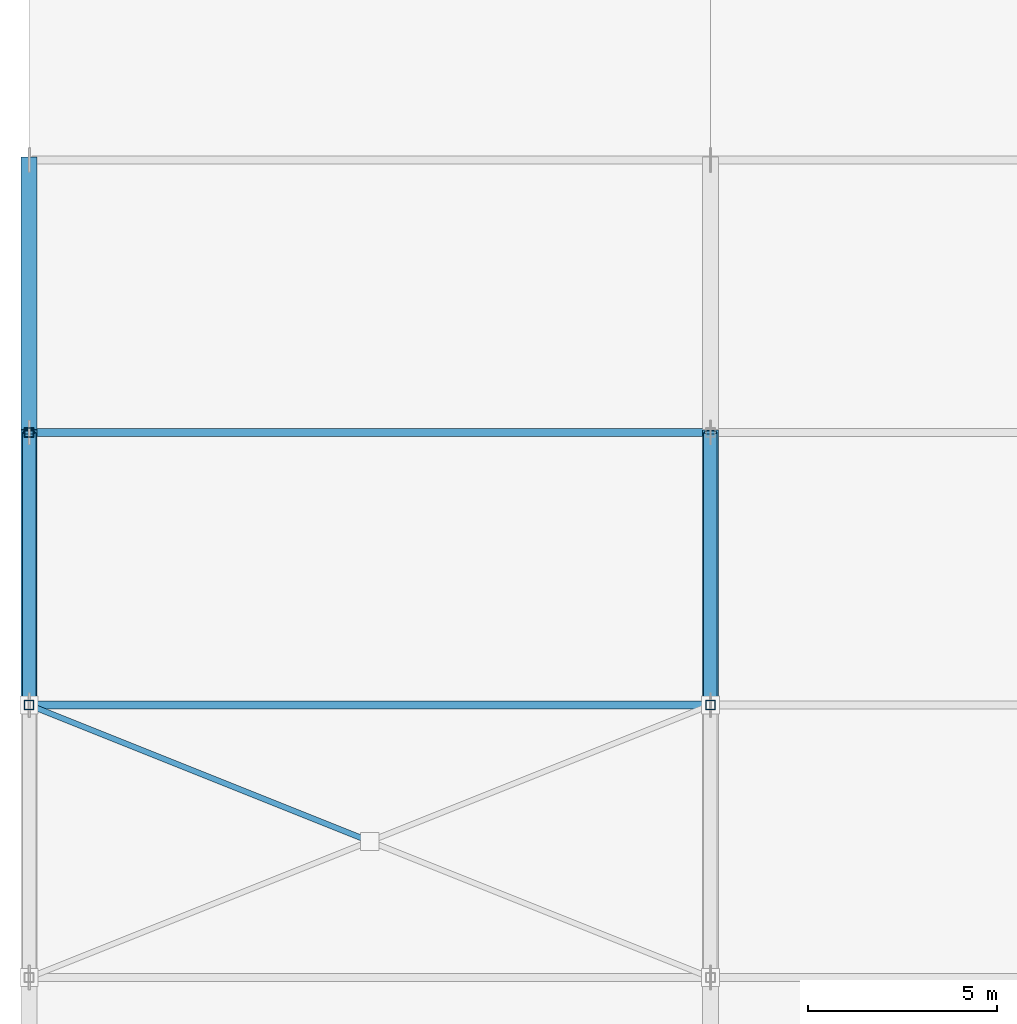
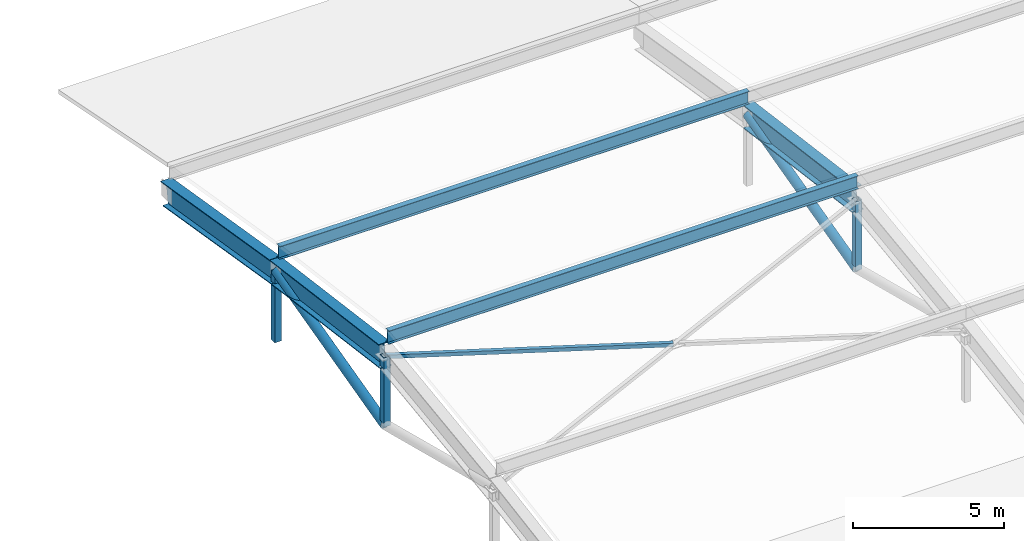
# One storey, part 9 of 78: 11 members.
"""IFC4 building model written with IfcOpenShell, lengths in metres."""

from ifc_helpers import new_model, si_unit, direction, frame, origin, origin_2d, place, context, subcontext, project, spatial, hollow_rectangle, hollow_circle, i_section, extrude, material, material_profile, profile_set, type_object, element, save


model = new_model("IFC4")

# Units and contexts
model_context = context("Model", 3, precision=1e-05, world=origin(), true_north=direction((0.0, 1.0)))
body_context = subcontext(model_context, "Body", "Model", "MODEL_VIEW")
ifc_project = project(units=[si_unit("LENGTHUNIT", "METRE"), si_unit("AREAUNIT", "SQUARE_METRE"), si_unit("VOLUMEUNIT", "CUBIC_METRE"), si_unit("PLANEANGLEUNIT", "RADIAN"), si_unit("MASSUNIT", "GRAM", prefix="KILO")], contexts=[model_context])

# Site, building, storey
site_placement = place(None, origin())
site = spatial("IfcSite", under=ifc_project, at=site_placement, CompositionType="ELEMENT")
building_placement = place(site_placement, origin())
building = spatial("IfcBuilding", under=site, at=building_placement, Name="Celestram Park Convention Centre", CompositionType="ELEMENT")
storey_placement = place(building_placement, frame((0.0, 0.0, 19.800048828125)))
storey = spatial("IfcBuildingStorey", under=building, at=storey_placement, Name="L04", CompositionType="ELEMENT", Elevation=19.800048828125)

# Members
ifc_material_1 = material(Name="Steel ASTM A500 Grade C", Category="steel")
ifc_material_profile_1 = material_profile(ifc_material_1, hollow_circle(Radius=0.177978515625, WallThickness=0.011962890625, at=origin_2d()), Name="CHS356X12")
ifc_profile_set_1 = profile_set([ifc_material_profile_1], Name="Steel ASTM A500 Grade C")
member_type_1 = type_object("IfcMemberType", Name="STR-BRC-CHS356", PredefinedType="BRACE", material=ifc_profile_set_1)
for number, where, z_axis, x_axis, name in (
    (1, (0.0, 64.800048828125, -0.171630859375), (0.0, 0.968804355336, 0.247826796536), (-1.0, 0.0, 0.0), "V1 arch web diagonal"),
    (2, (18.0, 64.800048828125, -0.171630859375), (0.0, 0.968804355336, 0.247826796536), (-1.0, 0.0, 0.0), "V1 arch web diagonal"),
):
    element("IfcMember", number, at=place(storey_placement, frame(where, z_axis=z_axis, x_axis=x_axis)), inside=storey, type_object=member_type_1, Name=name, PredefinedType="BRACE", context=body_context, shape_type="SweptSolid", body=[
        extrude(hollow_circle(Radius=0.177978515625, WallThickness=0.011962890625, at=origin_2d()), origin(), (0.0, 0.0, 1.0), 7.431884765625),
    ])
ifc_material_profile_2 = material_profile(ifc_material_1, hollow_rectangle(XDim=0.14990234375, YDim=0.14990234375, WallThickness=0.008056640625, at=origin_2d()), Name="HSS150X150X8")
ifc_profile_set_2 = profile_set([ifc_material_profile_2], Name="Steel ASTM A500 Grade C")
member_type_2 = type_object("IfcMemberType", Name="STR-BRC-HSS150", PredefinedType="BRACE", material=ifc_profile_set_2)
member_1_placement = place(storey_placement, frame((8.921142578125, 61.2314453125, 2.125), z_axis=(-0.927339660699, 0.370951091115, 0.049360325116), x_axis=(-0.37140381892, -0.928471433751, 0.0)))
element("IfcMember", 3, at=member_1_placement, inside=storey, type_object=member_type_2, Name="Roof lateral split wind X-brace upper half", PredefinedType="BRACE", context=body_context, shape_type="SweptSolid", body=[
    extrude(hollow_rectangle(XDim=0.14990234375, YDim=0.14990234375, WallThickness=0.008056640625, at=origin_2d()), origin(), (0.0, 0.0, 1.0), 9.6201171875),
])
ifc_material_2 = material(Name="Steel ASTM A992 Grade 50", Category="steel")
ifc_material_profile_3 = material_profile(ifc_material_2, i_section(OverallWidth=0.4189453125, OverallDepth=0.927001953125, WebThickness=0.019287109375, FlangeThickness=0.031982421875, at=origin_2d()), Name="W36X231")
ifc_profile_set_3 = profile_set([ifc_material_profile_3], Name="Steel ASTM A992 Grade 50")
member_type_3 = type_object("IfcMemberType", Name="STR-CHD-W36X231", PredefinedType="CHORD", material=ifc_profile_set_3)
member_2_placement = place(storey_placement, frame((0.0, 64.800048828125, 2.62841796875), z_axis=(0.0, 0.991259283276, -0.131928136952), x_axis=(-1.0, 0.0, 0.0)))
element("IfcMember", 4, at=member_2_placement, inside=storey, type_object=member_type_3, Name="V1 arch top chord", PredefinedType="CHORD", context=body_context, shape_type="SweptSolid", body=[
    extrude(i_section(OverallWidth=0.4189453125, OverallDepth=0.927001953125, WebThickness=0.019287109375, FlangeThickness=0.031982421875, at=origin_2d()), origin(), (0.0, 0.0, 1.0), 7.263427734375),
])
member_3_placement = place(storey_placement, frame((0.0, 72.0, 1.670166015625), z_axis=(0.0, 0.986648621514, -0.162863432557), x_axis=(-1.0, 0.0, 0.0)))
element("IfcMember", 5, at=member_3_placement, inside=storey, type_object=member_type_3, Name="V1 arch top chord", PredefinedType="CHORD", context=body_context, shape_type="SweptSolid", body=[
    extrude(i_section(OverallWidth=0.4189453125, OverallDepth=0.927001953125, WebThickness=0.019287109375, FlangeThickness=0.031982421875, at=origin_2d()), origin(), (0.0, 0.0, 1.0), 7.29736328125),
])
member_4_placement = place(storey_placement, frame((18.0, 64.800048828125, 2.62841796875), z_axis=(0.0, 0.991259283276, -0.131928136952), x_axis=(-1.0, 0.0, 0.0)))
element("IfcMember", 6, at=member_4_placement, inside=storey, type_object=member_type_3, Name="V1 arch top chord", PredefinedType="CHORD", context=body_context, shape_type="SweptSolid", body=[
    extrude(i_section(OverallWidth=0.4189453125, OverallDepth=0.927001953125, WebThickness=0.019287109375, FlangeThickness=0.031982421875, at=origin_2d()), origin(), (0.0, 0.0, 1.0), 7.263427734375),
])
ifc_material_profile_4 = material_profile(ifc_material_2, i_section(OverallWidth=0.2099609375, OverallDepth=0.532958984375, WebThickness=0.01025390625, FlangeThickness=0.015625, at=origin_2d()), Name="W21X62")
ifc_profile_set_4 = profile_set([ifc_material_profile_4], Name="Steel ASTM A992 Grade 50")
member_type_4 = type_object("IfcMemberType", Name="STR-RFT-W21X62", PredefinedType="RAFTER", material=ifc_profile_set_4)
for number, where, z_axis, x_axis, name in (
    (7, (0.080078125, 64.800048828125, 3.3583984375), (1.0, 0.0, 0.0), (0.0, 1.0, 0.0), "V1 roof purlin"),
    (8, (0.080078125, 72.0, 2.400146484375), (1.0, 0.0, 0.0), (0.0, 1.0, 0.0), "V1 roof purlin"),
):
    element("IfcMember", number, at=place(storey_placement, frame(where, z_axis=z_axis, x_axis=x_axis)), inside=storey, type_object=member_type_4, Name=name, PredefinedType="RAFTER", context=body_context, shape_type="SweptSolid", body=[
        extrude(i_section(OverallWidth=0.2099609375, OverallDepth=0.532958984375, WebThickness=0.01025390625, FlangeThickness=0.015625, at=origin_2d()), origin(), (0.0, 0.0, 1.0), 17.919921875),
    ])
ifc_material_profile_5 = material_profile(ifc_material_1, hollow_rectangle(XDim=0.25, YDim=0.25, WallThickness=0.011962890625, at=origin_2d()), Name="HSS250X250X12")
ifc_profile_set_5 = profile_set([ifc_material_profile_5], Name="Steel ASTM A500 Grade C")
member_type_5 = type_object("IfcMemberType", Name="STR-STR-HSS250", PredefinedType="STRUT", material=ifc_profile_set_5)
for number, where, z_axis, x_axis, name in (
    (9, (0.0, 64.800048828125, -0.171630859375), (0.0, 0.0, 1.0), (1.0, 0.0, 0.0), "V1 arch vertical strut"),
    (10, (0.0, 72.0, -1.1298828125), (0.0, 0.0, 1.0), (1.0, 0.0, 0.0), "V1 arch vertical strut"),
    (11, (18.0, 64.800048828125, -0.171630859375), (0.0, 0.0, 1.0), (1.0, 0.0, 0.0), "V1 arch vertical strut"),
):
    element("IfcMember", number, at=place(storey_placement, frame(where, z_axis=z_axis, x_axis=x_axis)), inside=storey, type_object=member_type_5, Name=name, PredefinedType="STRUT", context=body_context, shape_type="SweptSolid", body=[
        extrude(hollow_rectangle(XDim=0.25, YDim=0.25, WallThickness=0.011962890625, at=origin_2d()), origin(), (0.0, 0.0, 1.0), 2.800048828125),
    ])

save(model, "model.ifc")
